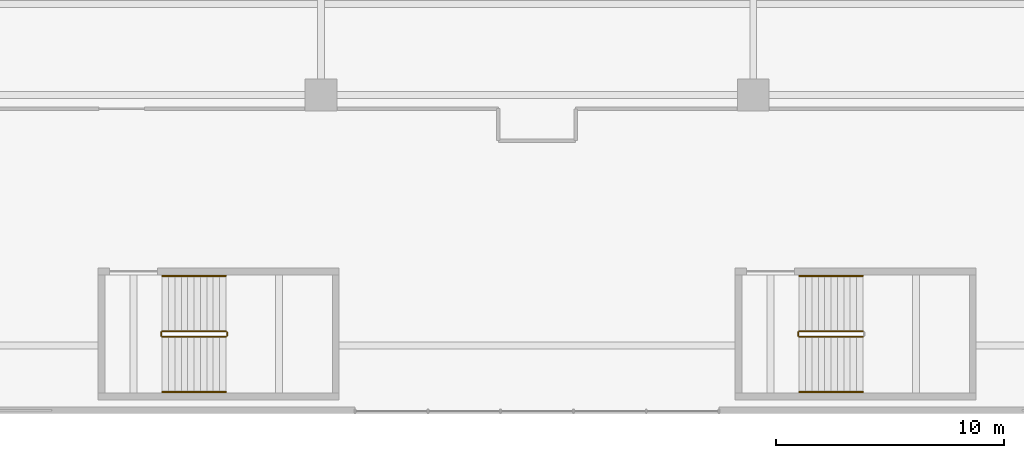
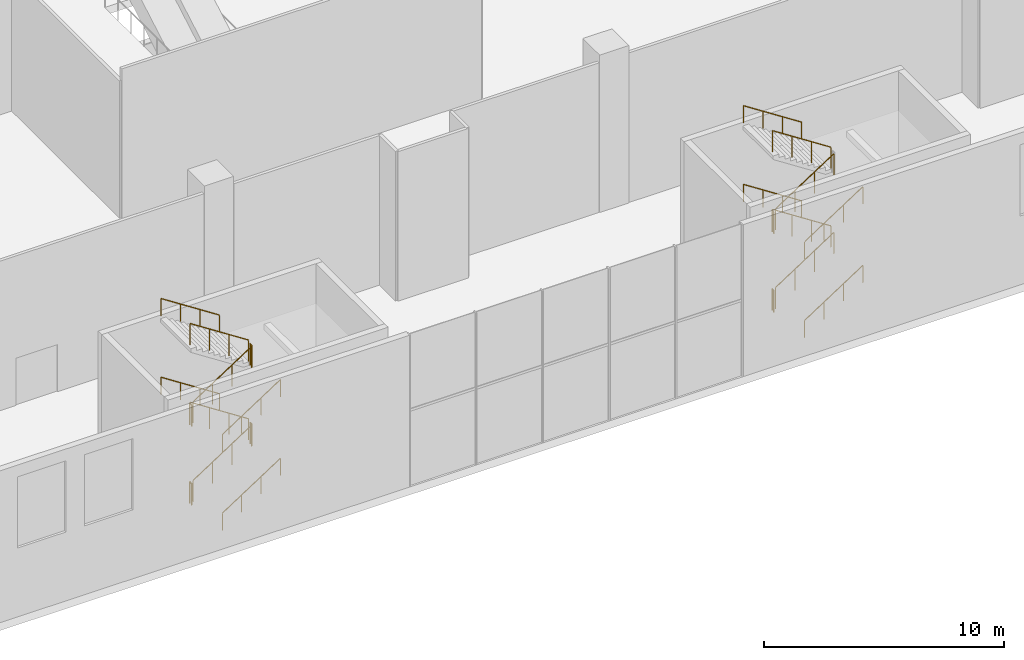
# One storey, part 20 of 27: 22 railings.
"""IFC4 building model written with IfcOpenShell, lengths in metres."""

from ifc_helpers import new_model, si_unit, direction, frame, origin, origin_2d, place, context, subcontext, project, spatial, circle, extrude, material, type_object, element, save


model = new_model("IFC4")

# Units and contexts
model_context = context("Model", 3, precision=1e-05, world=origin(), true_north=direction((0.0, 1.0)))
body_context = subcontext(model_context, "Body", "Model", "MODEL_VIEW")
ifc_project = project(units=[si_unit("LENGTHUNIT", "METRE"), si_unit("AREAUNIT", "SQUARE_METRE"), si_unit("VOLUMEUNIT", "CUBIC_METRE"), si_unit("PLANEANGLEUNIT", "RADIAN"), si_unit("MASSUNIT", "GRAM", prefix="KILO")], contexts=[model_context])

# Site, building, storey
site_placement = place(None, origin())
site = spatial("IfcSite", under=ifc_project, at=site_placement, CompositionType="ELEMENT")
building_placement = place(site_placement, origin())
building = spatial("IfcBuilding", under=site, at=building_placement, Name="Tel Ilan Convention Tower", CompositionType="ELEMENT")
storey_placement = place(building_placement, frame((0.0, 0.0, 18.0)))
storey = spatial("IfcBuildingStorey", under=building, at=storey_placement, Name="L02", CompositionType="ELEMENT", Elevation=18.0)

# Railings
ifc_material_1 = material(Name="Stainless Steel Grade 316", Category="steel")
railing_type_1 = type_object("IfcRailingType", Name="Stainless Steel Stair Guard 1100 mm", PredefinedType="GUARDRAIL", material=ifc_material_1)
railing_1_placement = place(storey_placement, frame((-16.47509765625, -78.625, 0.181884765625)))
element("IfcRailing", 1, at=railing_1_placement, inside=storey, type_object=railing_type_1, Name="L02 P2 stair guard 1", PredefinedType="GUARDRAIL", context=body_context, shape_type="SweptSolid", body=[
    extrude(circle(Radius=0.02392578125, at=origin_2d()), frame((0.0, 0.0, 1.076171875), z_axis=(0.838705829183, 0.0, 0.544584733623), x_axis=(0.0, 1.0, 0.0)), (0.0, 0.0, 1.0), 3.338623046875),
    extrude(circle(Radius=0.02099609375, at=origin_2d()), origin(), (0.0, 0.0, 1.0), 1.052001953125),
    extrude(circle(Radius=0.02099609375, at=origin_2d()), frame((0.933349609375, 0.0, 0.60595703125)), (0.0, 0.0, 1.0), 1.052001953125),
    extrude(circle(Radius=0.02099609375, at=origin_2d()), frame((1.86669921875, 0.0, 1.212158203125)), (0.0, 0.0, 1.0), 1.052001953125),
    extrude(circle(Radius=0.02099609375, at=origin_2d()), frame((2.800048828125, 0.0, 1.818115234375)), (0.0, 0.0, 1.0), 1.052001953125),
])
railing_2_placement = place(storey_placement, frame((-13.625, -78.574951171875, 2.0)))
element("IfcRailing", 2, at=railing_2_placement, inside=storey, type_object=railing_type_1, Name="L02 P2 stair guard 2", PredefinedType="GUARDRAIL", context=body_context, shape_type="SweptSolid", body=[
    extrude(circle(Radius=0.02392578125, at=origin_2d()), frame((0.0, 0.0, 1.076171875), z_axis=(0.0, 1.0, 0.0), x_axis=(-1.0, 0.0, 0.0)), (0.0, 0.0, 1.0), 0.14990234375),
    extrude(circle(Radius=0.02099609375, at=origin_2d()), origin(), (0.0, 0.0, 1.0), 1.052001953125),
    extrude(circle(Radius=0.02099609375, at=origin_2d()), frame((0.0, 0.14990234375, 0.0)), (0.0, 0.0, 1.0), 1.052001953125),
])
railing_3_placement = place(storey_placement, frame((-13.675048828125, -78.375, 2.181884765625)))
element("IfcRailing", 3, at=railing_3_placement, inside=storey, type_object=railing_type_1, Name="L02 P2 stair guard 3", PredefinedType="GUARDRAIL", context=body_context, shape_type="SweptSolid", body=[
    extrude(circle(Radius=0.02392578125, at=origin_2d()), frame((0.0, 0.0, 1.076171875), z_axis=(-0.838705829183, 0.0, 0.544584733623), x_axis=(0.0, -1.0, 0.0)), (0.0, 0.0, 1.0), 3.338623046875),
    extrude(circle(Radius=0.02099609375, at=origin_2d()), origin(), (0.0, 0.0, 1.0), 1.052001953125),
    extrude(circle(Radius=0.02099609375, at=origin_2d()), frame((-0.933349609375, 0.0, 0.60595703125)), (0.0, 0.0, 1.0), 1.052001953125),
    extrude(circle(Radius=0.02099609375, at=origin_2d()), frame((-1.86669921875, 0.0, 1.212158203125)), (0.0, 0.0, 1.0), 1.052001953125),
    extrude(circle(Radius=0.02099609375, at=origin_2d()), frame((-2.800048828125, 0.0, 1.818115234375)), (0.0, 0.0, 1.0), 1.052001953125),
])
railing_4_placement = place(storey_placement, frame((-16.52490234375, -78.574951171875, 4.0)))
element("IfcRailing", 4, at=railing_4_placement, inside=storey, type_object=railing_type_1, Name="L02 P2 stair guard 4", PredefinedType="GUARDRAIL", context=body_context, shape_type="SweptSolid", body=[
    extrude(circle(Radius=0.02392578125, at=origin_2d()), frame((0.0, 0.0, 1.076171875), z_axis=(0.0, 1.0, 0.0), x_axis=(-1.0, 0.0, 0.0)), (0.0, 0.0, 1.0), 0.14990234375),
    extrude(circle(Radius=0.02099609375, at=origin_2d()), origin(), (0.0, 0.0, 1.0), 1.052001953125),
    extrude(circle(Radius=0.02099609375, at=origin_2d()), frame((0.0, 0.14990234375, 0.0)), (0.0, 0.0, 1.0), 1.052001953125),
])
railing_5_placement = place(storey_placement, frame((-16.47509765625, -78.625, 4.181884765625)))
element("IfcRailing", 5, at=railing_5_placement, inside=storey, type_object=railing_type_1, Name="L02 P2 stair guard 5", PredefinedType="GUARDRAIL", context=body_context, shape_type="SweptSolid", body=[
    extrude(circle(Radius=0.02392578125, at=origin_2d()), frame((0.0, 0.0, 1.076171875), z_axis=(0.838705829183, 0.0, 0.544584733623), x_axis=(0.0, 1.0, 0.0)), (0.0, 0.0, 1.0), 3.338623046875),
    extrude(circle(Radius=0.02099609375, at=origin_2d()), origin(), (0.0, 0.0, 1.0), 1.052001953125),
    extrude(circle(Radius=0.02099609375, at=origin_2d()), frame((0.933349609375, 0.0, 0.60595703125)), (0.0, 0.0, 1.0), 1.052001953125),
    extrude(circle(Radius=0.02099609375, at=origin_2d()), frame((1.86669921875, 0.0, 1.212158203125)), (0.0, 0.0, 1.0), 1.052001953125),
    extrude(circle(Radius=0.02099609375, at=origin_2d()), frame((2.800048828125, 0.0, 1.818115234375)), (0.0, 0.0, 1.0), 1.052001953125),
])
railing_6_placement = place(storey_placement, frame((-13.625, -78.574951171875, 6.0)))
element("IfcRailing", 6, at=railing_6_placement, inside=storey, type_object=railing_type_1, Name="L02 P2 stair guard 6", PredefinedType="GUARDRAIL", context=body_context, shape_type="SweptSolid", body=[
    extrude(circle(Radius=0.02392578125, at=origin_2d()), frame((0.0, 0.0, 1.076171875), z_axis=(0.0, 1.0, 0.0), x_axis=(-1.0, 0.0, 0.0)), (0.0, 0.0, 1.0), 0.14990234375),
    extrude(circle(Radius=0.02099609375, at=origin_2d()), origin(), (0.0, 0.0, 1.0), 1.052001953125),
    extrude(circle(Radius=0.02099609375, at=origin_2d()), frame((0.0, 0.14990234375, 0.0)), (0.0, 0.0, 1.0), 1.052001953125),
])
railing_7_placement = place(storey_placement, frame((-13.675048828125, -78.375, 6.181884765625)))
element("IfcRailing", 7, at=railing_7_placement, inside=storey, type_object=railing_type_1, Name="L02 P2 stair guard 7", PredefinedType="GUARDRAIL", context=body_context, shape_type="SweptSolid", body=[
    extrude(circle(Radius=0.02392578125, at=origin_2d()), frame((0.0, 0.0, 1.076171875), z_axis=(-0.838705829183, 0.0, 0.544584733623), x_axis=(0.0, -1.0, 0.0)), (0.0, 0.0, 1.0), 3.338623046875),
    extrude(circle(Radius=0.02099609375, at=origin_2d()), origin(), (0.0, 0.0, 1.0), 1.052001953125),
    extrude(circle(Radius=0.02099609375, at=origin_2d()), frame((-0.933349609375, 0.0, 0.60595703125)), (0.0, 0.0, 1.0), 1.052001953125),
    extrude(circle(Radius=0.02099609375, at=origin_2d()), frame((-1.86669921875, 0.0, 1.212158203125)), (0.0, 0.0, 1.0), 1.052001953125),
    extrude(circle(Radius=0.02099609375, at=origin_2d()), frame((-2.800048828125, 0.0, 1.818115234375)), (0.0, 0.0, 1.0), 1.052001953125),
])
railing_8_placement = place(storey_placement, frame((-16.52490234375, -78.574951171875, 0.0)))
element("IfcRailing", 8, at=railing_8_placement, inside=storey, type_object=railing_type_1, Name="L02 P2 stair guard 8", PredefinedType="GUARDRAIL", context=body_context, shape_type="SweptSolid", body=[
    extrude(circle(Radius=0.02392578125, at=origin_2d()), frame((0.0, 0.0, 1.076171875), z_axis=(0.0, 1.0, 0.0), x_axis=(-1.0, 0.0, 0.0)), (0.0, 0.0, 1.0), 0.14990234375),
    extrude(circle(Radius=0.02099609375, at=origin_2d()), origin(), (0.0, 0.0, 1.0), 1.052001953125),
    extrude(circle(Radius=0.02099609375, at=origin_2d()), frame((0.0, 0.14990234375, 0.0)), (0.0, 0.0, 1.0), 1.052001953125),
])
railing_9_placement = place(storey_placement, frame((11.52490234375, -78.625, 0.181884765625)))
element("IfcRailing", 9, at=railing_9_placement, inside=storey, type_object=railing_type_1, Name="L02 P3 stair guard 1", PredefinedType="GUARDRAIL", context=body_context, shape_type="SweptSolid", body=[
    extrude(circle(Radius=0.02392578125, at=origin_2d()), frame((0.0, 0.0, 1.076171875), z_axis=(0.838705829183, 0.0, 0.544584733623), x_axis=(0.0, 1.0, 0.0)), (0.0, 0.0, 1.0), 3.338623046875),
    extrude(circle(Radius=0.02099609375, at=origin_2d()), origin(), (0.0, 0.0, 1.0), 1.052001953125),
    extrude(circle(Radius=0.02099609375, at=origin_2d()), frame((0.933349609375, 0.0, 0.60595703125)), (0.0, 0.0, 1.0), 1.052001953125),
    extrude(circle(Radius=0.02099609375, at=origin_2d()), frame((1.86669921875, 0.0, 1.212158203125)), (0.0, 0.0, 1.0), 1.052001953125),
    extrude(circle(Radius=0.02099609375, at=origin_2d()), frame((2.800048828125, 0.0, 1.818115234375)), (0.0, 0.0, 1.0), 1.052001953125),
])
railing_10_placement = place(storey_placement, frame((14.324951171875, -78.375, 2.181884765625)))
element("IfcRailing", 10, at=railing_10_placement, inside=storey, type_object=railing_type_1, Name="L02 P3 stair guard 3", PredefinedType="GUARDRAIL", context=body_context, shape_type="SweptSolid", body=[
    extrude(circle(Radius=0.02392578125, at=origin_2d()), frame((0.0, 0.0, 1.076171875), z_axis=(-0.838705829183, 0.0, 0.544584733623), x_axis=(0.0, -1.0, 0.0)), (0.0, 0.0, 1.0), 3.338623046875),
    extrude(circle(Radius=0.02099609375, at=origin_2d()), origin(), (0.0, 0.0, 1.0), 1.052001953125),
    extrude(circle(Radius=0.02099609375, at=origin_2d()), frame((-0.933349609375, 0.0, 0.60595703125)), (0.0, 0.0, 1.0), 1.052001953125),
    extrude(circle(Radius=0.02099609375, at=origin_2d()), frame((-1.86669921875, 0.0, 1.212158203125)), (0.0, 0.0, 1.0), 1.052001953125),
    extrude(circle(Radius=0.02099609375, at=origin_2d()), frame((-2.800048828125, 0.0, 1.818115234375)), (0.0, 0.0, 1.0), 1.052001953125),
])
railing_11_placement = place(storey_placement, frame((11.47509765625, -78.574951171875, 4.0)))
element("IfcRailing", 11, at=railing_11_placement, inside=storey, type_object=railing_type_1, Name="L02 P3 stair guard 4", PredefinedType="GUARDRAIL", context=body_context, shape_type="SweptSolid", body=[
    extrude(circle(Radius=0.02392578125, at=origin_2d()), frame((0.0, 0.0, 1.076171875), z_axis=(0.0, 1.0, 0.0), x_axis=(-1.0, 0.0, 0.0)), (0.0, 0.0, 1.0), 0.14990234375),
    extrude(circle(Radius=0.02099609375, at=origin_2d()), origin(), (0.0, 0.0, 1.0), 1.052001953125),
    extrude(circle(Radius=0.02099609375, at=origin_2d()), frame((0.0, 0.14990234375, 0.0)), (0.0, 0.0, 1.0), 1.052001953125),
])
railing_12_placement = place(storey_placement, frame((11.52490234375, -78.625, 4.181884765625)))
element("IfcRailing", 12, at=railing_12_placement, inside=storey, type_object=railing_type_1, Name="L02 P3 stair guard 5", PredefinedType="GUARDRAIL", context=body_context, shape_type="SweptSolid", body=[
    extrude(circle(Radius=0.02392578125, at=origin_2d()), frame((0.0, 0.0, 1.076171875), z_axis=(0.838705829183, 0.0, 0.544584733623), x_axis=(0.0, 1.0, 0.0)), (0.0, 0.0, 1.0), 3.338623046875),
    extrude(circle(Radius=0.02099609375, at=origin_2d()), origin(), (0.0, 0.0, 1.0), 1.052001953125),
    extrude(circle(Radius=0.02099609375, at=origin_2d()), frame((0.933349609375, 0.0, 0.60595703125)), (0.0, 0.0, 1.0), 1.052001953125),
    extrude(circle(Radius=0.02099609375, at=origin_2d()), frame((1.86669921875, 0.0, 1.212158203125)), (0.0, 0.0, 1.0), 1.052001953125),
    extrude(circle(Radius=0.02099609375, at=origin_2d()), frame((2.800048828125, 0.0, 1.818115234375)), (0.0, 0.0, 1.0), 1.052001953125),
])
railing_13_placement = place(storey_placement, frame((14.324951171875, -78.375, 6.181884765625)))
element("IfcRailing", 13, at=railing_13_placement, inside=storey, type_object=railing_type_1, Name="L02 P3 stair guard 7", PredefinedType="GUARDRAIL", context=body_context, shape_type="SweptSolid", body=[
    extrude(circle(Radius=0.02392578125, at=origin_2d()), frame((0.0, 0.0, 1.076171875), z_axis=(-0.838705829183, 0.0, 0.544584733623), x_axis=(0.0, -1.0, 0.0)), (0.0, 0.0, 1.0), 3.338623046875),
    extrude(circle(Radius=0.02099609375, at=origin_2d()), origin(), (0.0, 0.0, 1.0), 1.052001953125),
    extrude(circle(Radius=0.02099609375, at=origin_2d()), frame((-0.933349609375, 0.0, 0.60595703125)), (0.0, 0.0, 1.0), 1.052001953125),
    extrude(circle(Radius=0.02099609375, at=origin_2d()), frame((-1.86669921875, 0.0, 1.212158203125)), (0.0, 0.0, 1.0), 1.052001953125),
    extrude(circle(Radius=0.02099609375, at=origin_2d()), frame((-2.800048828125, 0.0, 1.818115234375)), (0.0, 0.0, 1.0), 1.052001953125),
])
railing_14_placement = place(storey_placement, frame((11.47509765625, -78.574951171875, 0.0)))
element("IfcRailing", 14, at=railing_14_placement, inside=storey, type_object=railing_type_1, Name="L02 P3 stair guard 8", PredefinedType="GUARDRAIL", context=body_context, shape_type="SweptSolid", body=[
    extrude(circle(Radius=0.02392578125, at=origin_2d()), frame((0.0, 0.0, 1.076171875), z_axis=(0.0, 1.0, 0.0), x_axis=(-1.0, 0.0, 0.0)), (0.0, 0.0, 1.0), 0.14990234375),
    extrude(circle(Radius=0.02099609375, at=origin_2d()), origin(), (0.0, 0.0, 1.0), 1.052001953125),
    extrude(circle(Radius=0.02099609375, at=origin_2d()), frame((0.0, 0.14990234375, 0.0)), (0.0, 0.0, 1.0), 1.052001953125),
])
ifc_material_2 = material(Name="Stainless Steel Grade 316", Category="steel")
railing_type_2 = type_object("IfcRailingType", Name="Stainless Steel Stair Handrail 900 mm", PredefinedType="HANDRAIL", material=ifc_material_2)
railing_15_placement = place(storey_placement, frame((-16.47509765625, -81.050048828125, 0.181884765625)))
element("IfcRailing", 15, at=railing_15_placement, inside=storey, type_object=railing_type_2, Name="L02 P2 stair handrail 1", PredefinedType="HANDRAIL", context=body_context, shape_type="SweptSolid", body=[
    extrude(circle(Radius=0.02392578125, at=origin_2d()), frame((0.0, 0.0, 0.8759765625), z_axis=(0.838705829183, 0.0, 0.544584733623), x_axis=(0.0, 1.0, 0.0)), (0.0, 0.0, 1.0), 3.338623046875),
    extrude(circle(Radius=0.02099609375, at=origin_2d()), origin(), (0.0, 0.0, 1.0), 0.851806640625),
    extrude(circle(Radius=0.02099609375, at=origin_2d()), frame((0.933349609375, 0.0, 0.60595703125)), (0.0, 0.0, 1.0), 0.851806640625),
    extrude(circle(Radius=0.02099609375, at=origin_2d()), frame((1.86669921875, 0.0, 1.212158203125)), (0.0, 0.0, 1.0), 0.851806640625),
    extrude(circle(Radius=0.02099609375, at=origin_2d()), frame((2.800048828125, 0.0, 1.818115234375)), (0.0, 0.0, 1.0), 0.851806640625),
])
railing_16_placement = place(storey_placement, frame((-13.675048828125, -75.949951171875, 2.181884765625)))
element("IfcRailing", 16, at=railing_16_placement, inside=storey, type_object=railing_type_2, Name="L02 P2 stair handrail 2", PredefinedType="HANDRAIL", context=body_context, shape_type="SweptSolid", body=[
    extrude(circle(Radius=0.02392578125, at=origin_2d()), frame((0.0, 0.0, 0.8759765625), z_axis=(-0.838705829183, 0.0, 0.544584733623), x_axis=(0.0, -1.0, 0.0)), (0.0, 0.0, 1.0), 3.338623046875),
    extrude(circle(Radius=0.02099609375, at=origin_2d()), origin(), (0.0, 0.0, 1.0), 0.851806640625),
    extrude(circle(Radius=0.02099609375, at=origin_2d()), frame((-0.933349609375, 0.0, 0.60595703125)), (0.0, 0.0, 1.0), 0.851806640625),
    extrude(circle(Radius=0.02099609375, at=origin_2d()), frame((-1.86669921875, 0.0, 1.212158203125)), (0.0, 0.0, 1.0), 0.851806640625),
    extrude(circle(Radius=0.02099609375, at=origin_2d()), frame((-2.800048828125, 0.0, 1.818115234375)), (0.0, 0.0, 1.0), 0.851806640625),
])
railing_17_placement = place(storey_placement, frame((-16.47509765625, -81.050048828125, 4.181884765625)))
element("IfcRailing", 17, at=railing_17_placement, inside=storey, type_object=railing_type_2, Name="L02 P2 stair handrail 3", PredefinedType="HANDRAIL", context=body_context, shape_type="SweptSolid", body=[
    extrude(circle(Radius=0.02392578125, at=origin_2d()), frame((0.0, 0.0, 0.8759765625), z_axis=(0.838705829183, 0.0, 0.544584733623), x_axis=(0.0, 1.0, 0.0)), (0.0, 0.0, 1.0), 3.338623046875),
    extrude(circle(Radius=0.02099609375, at=origin_2d()), origin(), (0.0, 0.0, 1.0), 0.851806640625),
    extrude(circle(Radius=0.02099609375, at=origin_2d()), frame((0.933349609375, 0.0, 0.60595703125)), (0.0, 0.0, 1.0), 0.851806640625),
    extrude(circle(Radius=0.02099609375, at=origin_2d()), frame((1.86669921875, 0.0, 1.212158203125)), (0.0, 0.0, 1.0), 0.851806640625),
    extrude(circle(Radius=0.02099609375, at=origin_2d()), frame((2.800048828125, 0.0, 1.818115234375)), (0.0, 0.0, 1.0), 0.851806640625),
])
railing_18_placement = place(storey_placement, frame((-13.675048828125, -75.949951171875, 6.181884765625)))
element("IfcRailing", 18, at=railing_18_placement, inside=storey, type_object=railing_type_2, Name="L02 P2 stair handrail 4", PredefinedType="HANDRAIL", context=body_context, shape_type="SweptSolid", body=[
    extrude(circle(Radius=0.02392578125, at=origin_2d()), frame((0.0, 0.0, 0.8759765625), z_axis=(-0.838705829183, 0.0, 0.544584733623), x_axis=(0.0, -1.0, 0.0)), (0.0, 0.0, 1.0), 3.338623046875),
    extrude(circle(Radius=0.02099609375, at=origin_2d()), origin(), (0.0, 0.0, 1.0), 0.851806640625),
    extrude(circle(Radius=0.02099609375, at=origin_2d()), frame((-0.933349609375, 0.0, 0.60595703125)), (0.0, 0.0, 1.0), 0.851806640625),
    extrude(circle(Radius=0.02099609375, at=origin_2d()), frame((-1.86669921875, 0.0, 1.212158203125)), (0.0, 0.0, 1.0), 0.851806640625),
    extrude(circle(Radius=0.02099609375, at=origin_2d()), frame((-2.800048828125, 0.0, 1.818115234375)), (0.0, 0.0, 1.0), 0.851806640625),
])
railing_19_placement = place(storey_placement, frame((11.52490234375, -81.050048828125, 0.181884765625)))
element("IfcRailing", 19, at=railing_19_placement, inside=storey, type_object=railing_type_2, Name="L02 P3 stair handrail 1", PredefinedType="HANDRAIL", context=body_context, shape_type="SweptSolid", body=[
    extrude(circle(Radius=0.02392578125, at=origin_2d()), frame((0.0, 0.0, 0.8759765625), z_axis=(0.838705829183, 0.0, 0.544584733623), x_axis=(0.0, 1.0, 0.0)), (0.0, 0.0, 1.0), 3.338623046875),
    extrude(circle(Radius=0.02099609375, at=origin_2d()), origin(), (0.0, 0.0, 1.0), 0.851806640625),
    extrude(circle(Radius=0.02099609375, at=origin_2d()), frame((0.933349609375, 0.0, 0.60595703125)), (0.0, 0.0, 1.0), 0.851806640625),
    extrude(circle(Radius=0.02099609375, at=origin_2d()), frame((1.86669921875, 0.0, 1.212158203125)), (0.0, 0.0, 1.0), 0.851806640625),
    extrude(circle(Radius=0.02099609375, at=origin_2d()), frame((2.800048828125, 0.0, 1.818115234375)), (0.0, 0.0, 1.0), 0.851806640625),
])
railing_20_placement = place(storey_placement, frame((14.324951171875, -75.949951171875, 2.181884765625)))
element("IfcRailing", 20, at=railing_20_placement, inside=storey, type_object=railing_type_2, Name="L02 P3 stair handrail 2", PredefinedType="HANDRAIL", context=body_context, shape_type="SweptSolid", body=[
    extrude(circle(Radius=0.02392578125, at=origin_2d()), frame((0.0, 0.0, 0.8759765625), z_axis=(-0.838705829183, 0.0, 0.544584733623), x_axis=(0.0, -1.0, 0.0)), (0.0, 0.0, 1.0), 3.338623046875),
    extrude(circle(Radius=0.02099609375, at=origin_2d()), origin(), (0.0, 0.0, 1.0), 0.851806640625),
    extrude(circle(Radius=0.02099609375, at=origin_2d()), frame((-0.933349609375, 0.0, 0.60595703125)), (0.0, 0.0, 1.0), 0.851806640625),
    extrude(circle(Radius=0.02099609375, at=origin_2d()), frame((-1.86669921875, 0.0, 1.212158203125)), (0.0, 0.0, 1.0), 0.851806640625),
    extrude(circle(Radius=0.02099609375, at=origin_2d()), frame((-2.800048828125, 0.0, 1.818115234375)), (0.0, 0.0, 1.0), 0.851806640625),
])
railing_21_placement = place(storey_placement, frame((11.52490234375, -81.050048828125, 4.181884765625)))
element("IfcRailing", 21, at=railing_21_placement, inside=storey, type_object=railing_type_2, Name="L02 P3 stair handrail 3", PredefinedType="HANDRAIL", context=body_context, shape_type="SweptSolid", body=[
    extrude(circle(Radius=0.02392578125, at=origin_2d()), frame((0.0, 0.0, 0.8759765625), z_axis=(0.838705829183, 0.0, 0.544584733623), x_axis=(0.0, 1.0, 0.0)), (0.0, 0.0, 1.0), 3.338623046875),
    extrude(circle(Radius=0.02099609375, at=origin_2d()), origin(), (0.0, 0.0, 1.0), 0.851806640625),
    extrude(circle(Radius=0.02099609375, at=origin_2d()), frame((0.933349609375, 0.0, 0.60595703125)), (0.0, 0.0, 1.0), 0.851806640625),
    extrude(circle(Radius=0.02099609375, at=origin_2d()), frame((1.86669921875, 0.0, 1.212158203125)), (0.0, 0.0, 1.0), 0.851806640625),
    extrude(circle(Radius=0.02099609375, at=origin_2d()), frame((2.800048828125, 0.0, 1.818115234375)), (0.0, 0.0, 1.0), 0.851806640625),
])
railing_22_placement = place(storey_placement, frame((14.324951171875, -75.949951171875, 6.181884765625)))
element("IfcRailing", 22, at=railing_22_placement, inside=storey, type_object=railing_type_2, Name="L02 P3 stair handrail 4", PredefinedType="HANDRAIL", context=body_context, shape_type="SweptSolid", body=[
    extrude(circle(Radius=0.02392578125, at=origin_2d()), frame((0.0, 0.0, 0.8759765625), z_axis=(-0.838705829183, 0.0, 0.544584733623), x_axis=(0.0, -1.0, 0.0)), (0.0, 0.0, 1.0), 3.338623046875),
    extrude(circle(Radius=0.02099609375, at=origin_2d()), origin(), (0.0, 0.0, 1.0), 0.851806640625),
    extrude(circle(Radius=0.02099609375, at=origin_2d()), frame((-0.933349609375, 0.0, 0.60595703125)), (0.0, 0.0, 1.0), 0.851806640625),
    extrude(circle(Radius=0.02099609375, at=origin_2d()), frame((-1.86669921875, 0.0, 1.212158203125)), (0.0, 0.0, 1.0), 0.851806640625),
    extrude(circle(Radius=0.02099609375, at=origin_2d()), frame((-2.800048828125, 0.0, 1.818115234375)), (0.0, 0.0, 1.0), 0.851806640625),
])

save(model, "model.ifc")
